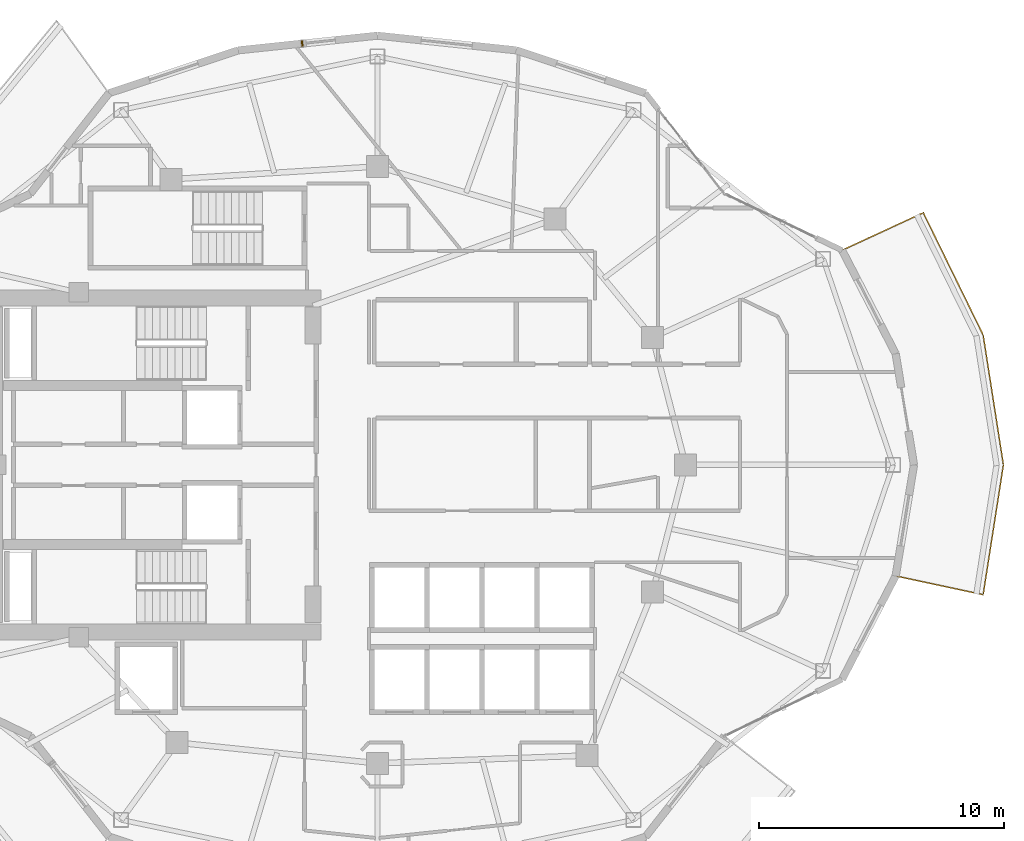
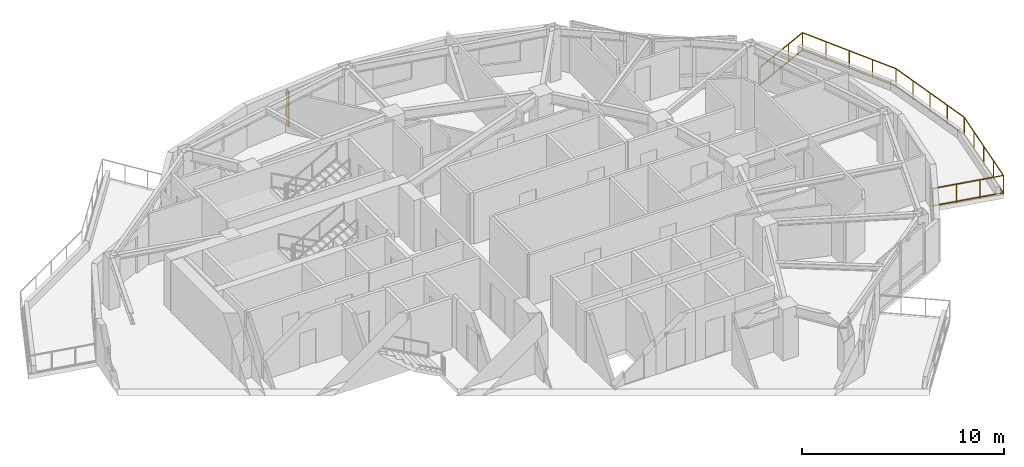
# One storey, part 13 of 13: 1 railing, 1 shading device.
"""IFC4 building model written with IfcOpenShell, lengths in metres."""

import ifcopenshell
import ifcopenshell.guid

model = None  # the IFC model being written
_history = None  # IfcOwnerHistory: only IFC2X3 demands one
_inside = {}  # id of a spatial element -> (the spatial element, [elements in it])
_under = {}  # id of a project, library or spatial element -> (it, [spatial elements below it])
_declared = {}  # id of a project -> (the project, [libraries it declares])
_typed = {}  # id of a type object -> (the type object, [elements of that type])
_made_of = {}  # id of a material, layer set ... -> (it, [elements and type objects made of it])


def new_model(schema):
    """Start an empty IFC model of exactly this schema.

    Asked for "IFC4X3", IfcOpenShell would pick the latest addendum, in which some entities
    have other attributes; the version numbers below select the first issue.
    IFC2X3 requires an IfcOwnerHistory on every rooted entity: one is made here for all.
    """
    global model, _history
    if schema == "IFC4X3":
        model = ifcopenshell.file(schema_version=(4, 3, 0, 0))
    else:
        model = ifcopenshell.file(schema=schema)
    _inside.clear()
    _under.clear()
    _declared.clear()
    _typed.clear()
    _made_of.clear()
    _history = None
    if model.schema == "IFC2X3":
        org = make("IfcOrganization", Name="unknown")
        user = make(
            "IfcPersonAndOrganization",
            ThePerson=make("IfcPerson", FamilyName="unknown"),
            TheOrganization=org,
        )
        app = make(
            "IfcApplication",
            ApplicationDeveloper=org,
            Version="unknown",
            ApplicationFullName="unknown",
            ApplicationIdentifier="unknown",
        )
        _history = make(
            "IfcOwnerHistory",
            OwningUser=user,
            OwningApplication=app,
            ChangeAction="ADDED",
            CreationDate=0,
        )
    return model


def make(cls, **values):
    """One entity of the class cls with the attributes given. An attribute that is None is left unset."""
    return model.create_entity(
        cls, **{name: value for name, value in values.items() if value is not None}
    )


def rooted(cls, **values):
    """An entity with a GlobalId (a new one), such as an element, a storey or a relation."""
    return make(cls, GlobalId=ifcopenshell.guid.new(), OwnerHistory=_history, **values)


def si_unit(unit_type, name, prefix=None):
    """IfcSIUnit, for example si_unit("LENGTHUNIT", "METRE", prefix="MILLI")."""
    return make("IfcSIUnit", UnitType=unit_type, Prefix=prefix, Name=name)


def assignment(units):
    """IfcUnitAssignment: the units of a project."""
    return None if units is None else make("IfcUnitAssignment", Units=units)


def point(xyz):
    """IfcCartesianPoint."""
    return None if xyz is None else make("IfcCartesianPoint", Coordinates=xyz)


def direction(xyz):
    """IfcDirection."""
    return None if xyz is None else make("IfcDirection", DirectionRatios=xyz)


def frame(location, z_axis=None, x_axis=None):
    """IfcAxis2Placement3D, a coordinate frame: its origin and axes. An axis left out is left unset."""
    return make(
        "IfcAxis2Placement3D",
        Location=point(location),
        Axis=direction(z_axis),
        RefDirection=direction(x_axis),
    )


def frame_2d(location, x_axis=None):
    """IfcAxis2Placement2D, a coordinate frame in the plane: its origin and x axis."""
    return make(
        "IfcAxis2Placement2D", Location=point(location), RefDirection=direction(x_axis)
    )


def origin():
    """The frame at (0, 0, 0) with its axes left unset."""
    return frame((0.0, 0.0, 0.0))


def origin_2d():
    """The frame at (0, 0) in the plane with its x axis left unset."""
    return frame_2d((0.0, 0.0))


def place(relative_to, where):
    """IfcLocalPlacement: puts the frame where relative to a parent placement (None: the world)."""
    return make(
        "IfcLocalPlacement", PlacementRelTo=relative_to, RelativePlacement=where
    )


def context(
    kind, dimensions, precision=None, world=None, true_north=None, identifier=None
):
    """IfcGeometricRepresentationContext, for example the 3D "Model" context."""
    return make(
        "IfcGeometricRepresentationContext",
        ContextIdentifier=identifier,
        ContextType=kind,
        CoordinateSpaceDimension=dimensions,
        Precision=precision,
        WorldCoordinateSystem=world,
        TrueNorth=true_north,
    )


def subcontext(parent, identifier, kind, view, scale=None):
    """IfcGeometricRepresentationSubContext, for example "Body" below "Model"."""
    return make(
        "IfcGeometricRepresentationSubContext",
        ContextIdentifier=identifier,
        ContextType=kind,
        ParentContext=parent,
        TargetScale=scale,
        TargetView=view,
    )


def project(units=None, contexts=None):
    """IfcProject with its units and contexts."""
    return rooted(
        "IfcProject",
        Name="project",
        RepresentationContexts=contexts,
        UnitsInContext=assignment(units),
    )


def spatial(cls, under=None, at=None, **own):
    """A site, building, storey or space (cls), placed at a placement, below another one or the project."""
    s = rooted(cls, ObjectPlacement=at, **own)
    if under is not None:
        _under.setdefault(under.id(), (under, []))[1].append(s)
    return s


def profile(cls, at=None, kind="AREA", **sizes):
    """A parametric profile (cls). Its sizes go by their IFC names, for example OverallWidth=200.0."""
    return make(cls, ProfileType=kind, Position=at, **sizes)


def rectangle(**sizes):
    """IfcRectangleProfileDef."""
    return profile("IfcRectangleProfileDef", **sizes)


def extrude(swept, where, along, depth):
    """IfcExtrudedAreaSolid: the profile swept, set in the frame where, extruded along a direction by depth."""
    return make(
        "IfcExtrudedAreaSolid",
        SweptArea=swept,
        Position=where,
        ExtrudedDirection=direction(along),
        Depth=depth,
    )


def shape(context_of_items, identifier, shape_type, items):
    """IfcShapeRepresentation: the items that make up one representation, for example the "Body"."""
    return make(
        "IfcShapeRepresentation",
        ContextOfItems=context_of_items,
        RepresentationIdentifier=identifier,
        RepresentationType=shape_type,
        Items=items,
    )


def material(Name=None, Category=None):
    """IfcMaterial."""
    return make("IfcMaterial", Name=Name, Category=Category)


def made_of(thing, what):
    """Note that an element or type object is made of a material, layer set ...; save() writes the relation."""
    if what is not None:
        _made_of.setdefault(what.id(), (what, []))[1].append(thing)
    return thing


def type_object(cls, material=None, **own):
    """A type object (cls), such as IfcWallType, which elements share."""
    return made_of(rooted(cls, **own), material)


def element(
    cls,
    number,
    at=None,
    inside=None,
    cuts=None,
    type_object=None,
    material=None,
    context=None,
    identifier="Body",
    shape_type=None,
    held_by="IfcProductDefinitionShape",
    body=None,
    shapes=None,
    **own,
):
    """One element of the class cls, such as IfcWall. Its Tag is "e" and its number.

    at: its placement. inside: the storey or other place that contains it. cuts: it is an
    opening in that element (IfcRelVoidsElement). A single representation is given by context,
    identifier, shape_type and body (its items); several are given by shapes. held_by: the class
    of the entity that holds the representations. save() writes the other relations.
    """
    e = rooted(cls, Tag="e%d" % number, ObjectPlacement=at, **own)
    if body is not None:
        shapes = [shape(context, identifier, shape_type, body)]
    if shapes is not None:
        e.Representation = make(held_by, Representations=shapes)
    if inside is not None:
        _inside.setdefault(inside.id(), (inside, []))[1].append(e)
    if cuts is not None:
        rooted(
            "IfcRelVoidsElement", RelatingBuildingElement=cuts, RelatedOpeningElement=e
        )
    if type_object is not None:
        _typed.setdefault(type_object.id(), (type_object, []))[1].append(e)
    return made_of(e, material)


def aggregate(whole, parts):
    """IfcRelAggregates: a whole, such as a stair, and the parts it consists of."""
    return rooted("IfcRelAggregates", RelatingObject=whole, RelatedObjects=parts)


def save(model, path):
    """Write the relations noted so far, then the file.

    IfcRelAggregates (storeys below a building ...), IfcRelContainedInSpatialStructure (elements
    in a storey), IfcRelDefinesByType, IfcRelAssociatesMaterial and IfcRelDeclares: one each for
    every whole, place, type object, material and project.
    """
    for whole, parts in _under.values():
        aggregate(whole, parts)
    for where, things in _inside.values():
        rooted(
            "IfcRelContainedInSpatialStructure",
            RelatedElements=things,
            RelatingStructure=where,
        )
    for kind, things in _typed.values():
        rooted("IfcRelDefinesByType", RelatedObjects=things, RelatingType=kind)
    for what, things in _made_of.values():
        rooted("IfcRelAssociatesMaterial", RelatedObjects=things, RelatingMaterial=what)
    for by, libraries in _declared.values():
        rooted("IfcRelDeclares", RelatingContext=by, RelatedDefinitions=libraries)
    model.write(path)


model = new_model("IFC4")

# Units and contexts
model_context = context("Model", 3, precision=1e-05, world=origin(), true_north=direction((0.0, 1.0)))
body_context = subcontext(model_context, "Body", "Model", "MODEL_VIEW")
ifc_project = project(units=[si_unit("LENGTHUNIT", "METRE"), si_unit("AREAUNIT", "SQUARE_METRE"), si_unit("VOLUMEUNIT", "CUBIC_METRE"), si_unit("PLANEANGLEUNIT", "RADIAN"), si_unit("MASSUNIT", "GRAM", prefix="KILO")], contexts=[model_context])

# Site, building, storey
site_placement = place(None, origin())
site = spatial("IfcSite", under=ifc_project, at=site_placement, CompositionType="ELEMENT")
building_placement = place(site_placement, origin())
building = spatial("IfcBuilding", under=site, at=building_placement, Name="Kolvaren Gate Tower and Convention Centre", CompositionType="ELEMENT")
storey_placement = place(building_placement, frame((0.0, 0.0, 183.5)))
storey = spatial("IfcBuildingStorey", under=building, at=storey_placement, Name="L48", CompositionType="ELEMENT", Elevation=183.5)

# Railing
ifc_material_1 = material(Name="Brushed Stainless Steel Grade 316L", Category="steel")
railing_type = type_object("IfcRailingType", Name="ARCH-RL-GUARD-1150", PredefinedType="GUARDRAIL", material=ifc_material_1)
railing_placement = place(storey_placement, frame((51.31494140625, 22.457763671875, 0.0)))
element("IfcRailing", 1, at=railing_placement, inside=storey, type_object=railing_type, Name="Tower L48 Terrace Perimeter Guardrail GR-4", PredefinedType="GUARDRAIL", context=body_context, shape_type="SweptSolid", body=[
    extrude(rectangle(XDim=0.048095703125, YDim=0.048095703125, at=origin_2d()), frame((0.02734375, -0.005859375, 1.1259765625), z_axis=(0.977791675321, -0.209579196661, 0.0), x_axis=(0.209579196661, 0.977791675321, 0.0)), (0.0, 0.0, 1.0), 3.60400390625),
    extrude(rectangle(XDim=0.048095703125, YDim=0.048095703125, at=origin_2d()), frame((0.02734375, -0.005859375, 0.083984375), z_axis=(0.977791675321, -0.209579196661, 0.0), x_axis=(0.209579196661, 0.977791675321, 0.0)), (0.0, 0.0, 1.0), 3.60400390625),
    extrude(rectangle(XDim=0.048095703125, YDim=0.048095703125, at=origin_2d()), frame((3.583251953125, -0.7392578125, 1.1259765625), z_axis=(0.154200861408, 0.988039520637, 0.0), x_axis=(-0.988039520637, 0.154200861408, 0.0)), (0.0, 0.0, 1.0), 5.3173828125),
    extrude(rectangle(XDim=0.048095703125, YDim=0.048095703125, at=origin_2d()), frame((3.583251953125, -0.7392578125, 0.083984375), z_axis=(0.154200861408, 0.988039520637, 0.0), x_axis=(-0.988039520637, 0.154200861408, 0.0)), (0.0, 0.0, 1.0), 5.3173828125),
    extrude(rectangle(XDim=0.048095703125, YDim=0.048095703125, at=origin_2d()), frame((4.403076171875, 4.570068359375, 1.1259765625), z_axis=(-0.154200861408, 0.988039520637, 0.0), x_axis=(-0.988039520637, -0.154200861408, 0.0)), (0.0, 0.0, 1.0), 5.3173828125),
    extrude(rectangle(XDim=0.048095703125, YDim=0.048095703125, at=origin_2d()), frame((4.403076171875, 4.570068359375, 0.083984375), z_axis=(-0.154200861408, 0.988039520637, 0.0), x_axis=(-0.988039520637, -0.154200861408, 0.0)), (0.0, 0.0, 1.0), 5.3173828125),
    extrude(rectangle(XDim=0.048095703125, YDim=0.048095703125, at=origin_2d()), frame((3.56640625, 9.876708984375, 1.1259765625), z_axis=(-0.439655234701, 0.898166618507, 0.0), x_axis=(-0.898166618507, -0.439655234701, 0.0)), (0.0, 0.0, 1.0), 5.51123046875),
    extrude(rectangle(XDim=0.048095703125, YDim=0.048095703125, at=origin_2d()), frame((3.56640625, 9.876708984375, 0.083984375), z_axis=(-0.439655234701, 0.898166618507, 0.0), x_axis=(-0.898166618507, -0.439655234701, 0.0)), (0.0, 0.0, 1.0), 5.51123046875),
    extrude(rectangle(XDim=0.048095703125, YDim=0.048095703125, at=origin_2d()), frame((1.105712890625, 14.84033203125, 1.1259765625), z_axis=(-0.907820723829, -0.419358478377, 0.0), x_axis=(0.419358478377, -0.907820723829, 0.0)), (0.0, 0.0, 1.0), 3.60400390625),
    extrude(rectangle(XDim=0.048095703125, YDim=0.048095703125, at=origin_2d()), frame((1.105712890625, 14.84033203125, 0.083984375), z_axis=(-0.907820723829, -0.419358478377, 0.0), x_axis=(0.419358478377, -0.907820723829, 0.0)), (0.0, 0.0, 1.0), 3.60400390625),
    extrude(rectangle(XDim=0.0419921875, YDim=0.0419921875, at=origin_2d()), origin(), (0.0, 0.0, 1.0), 1.14990234375),
    extrude(rectangle(XDim=0.0419921875, YDim=0.0419921875, at=origin_2d()), frame((3.578857421875, -0.76708984375, 0.0)), (0.0, 0.0, 1.0), 1.14990234375),
    extrude(rectangle(XDim=0.0419921875, YDim=0.0419921875, at=origin_2d()), frame((1.19287109375, -0.255615234375, 0.0)), (0.0, 0.0, 1.0), 1.099853515625),
    extrude(rectangle(XDim=0.0419921875, YDim=0.0419921875, at=origin_2d()), frame((2.385986328125, -0.511474609375, 0.0)), (0.0, 0.0, 1.0), 1.099853515625),
    extrude(rectangle(XDim=0.0419921875, YDim=0.0419921875, at=origin_2d()), frame((4.407470703125, 4.542236328125, 0.0)), (0.0, 0.0, 1.0), 1.14990234375),
    extrude(rectangle(XDim=0.0419921875, YDim=0.0419921875, at=origin_2d()), frame((3.7861328125, 0.560302734375, 0.0)), (0.0, 0.0, 1.0), 1.099853515625),
    extrude(rectangle(XDim=0.0419921875, YDim=0.0419921875, at=origin_2d()), frame((3.9931640625, 1.8876953125, 0.0)), (0.0, 0.0, 1.0), 1.099853515625),
    extrude(rectangle(XDim=0.0419921875, YDim=0.0419921875, at=origin_2d()), frame((4.2001953125, 3.21484375, 0.0)), (0.0, 0.0, 1.0), 1.099853515625),
    extrude(rectangle(XDim=0.0419921875, YDim=0.0419921875, at=origin_2d()), frame((3.578857421875, 9.8515625, 0.0)), (0.0, 0.0, 1.0), 1.14990234375),
    extrude(rectangle(XDim=0.0419921875, YDim=0.0419921875, at=origin_2d()), frame((4.2001953125, 5.86962890625, 0.0)), (0.0, 0.0, 1.0), 1.099853515625),
    extrude(rectangle(XDim=0.0419921875, YDim=0.0419921875, at=origin_2d()), frame((3.9931640625, 7.19677734375, 0.0)), (0.0, 0.0, 1.0), 1.099853515625),
    extrude(rectangle(XDim=0.0419921875, YDim=0.0419921875, at=origin_2d()), frame((3.7861328125, 8.524169921875, 0.0)), (0.0, 0.0, 1.0), 1.099853515625),
    extrude(rectangle(XDim=0.0419921875, YDim=0.0419921875, at=origin_2d()), frame((1.131103515625, 14.85205078125, 0.0)), (0.0, 0.0, 1.0), 1.14990234375),
    extrude(rectangle(XDim=0.0419921875, YDim=0.0419921875, at=origin_2d()), frame((2.966796875, 11.1015625, 0.0)), (0.0, 0.0, 1.0), 1.099853515625),
    extrude(rectangle(XDim=0.0419921875, YDim=0.0419921875, at=origin_2d()), frame((2.35498046875, 12.351806640625, 0.0)), (0.0, 0.0, 1.0), 1.099853515625),
    extrude(rectangle(XDim=0.0419921875, YDim=0.0419921875, at=origin_2d()), frame((1.7431640625, 13.60205078125, 0.0)), (0.0, 0.0, 1.0), 1.099853515625),
    extrude(rectangle(XDim=0.0419921875, YDim=0.0419921875, at=origin_2d()), frame((-2.191650390625, 13.317138671875, 0.0)), (0.0, 0.0, 1.0), 1.14990234375),
    extrude(rectangle(XDim=0.0419921875, YDim=0.0419921875, at=origin_2d()), frame((0.0234375, 14.34033203125, 0.0)), (0.0, 0.0, 1.0), 1.099853515625),
    extrude(rectangle(XDim=0.0419921875, YDim=0.0419921875, at=origin_2d()), frame((-1.083984375, 13.828857421875, 0.0)), (0.0, 0.0, 1.0), 1.099853515625),
])

# Shading device
ifc_material_2 = material(Name="Kiln-Fired Bogota Terracotta Ceramic Louvre Profile", Category="masonry")
shading_device_type = type_object("IfcShadingDeviceType", Name="ARCH-SHD-FIN-180", PredefinedType="JALOUSIE", material=ifc_material_2)
shading_device_placement = place(storey_placement, frame((27.052734375, 44.226318359375, 0.219970703125), z_axis=(0.0, 0.0, 1.0), x_axis=(0.994499249941, 0.104743696069, 0.0)))
element("IfcShadingDevice", 2, at=shading_device_placement, inside=storey, type_object=shading_device_type, Name="Ceramic Vertical Brise-Soleil Fin FN-L48-06", PredefinedType="JALOUSIE", context=body_context, shape_type="SweptSolid", body=[
    extrude(rectangle(XDim=0.06005859375, YDim=0.239990234375, at=origin_2d()), origin(), (0.0, 0.0, 1.0), 2.14990234375),
])

save(model, "model.ifc")
